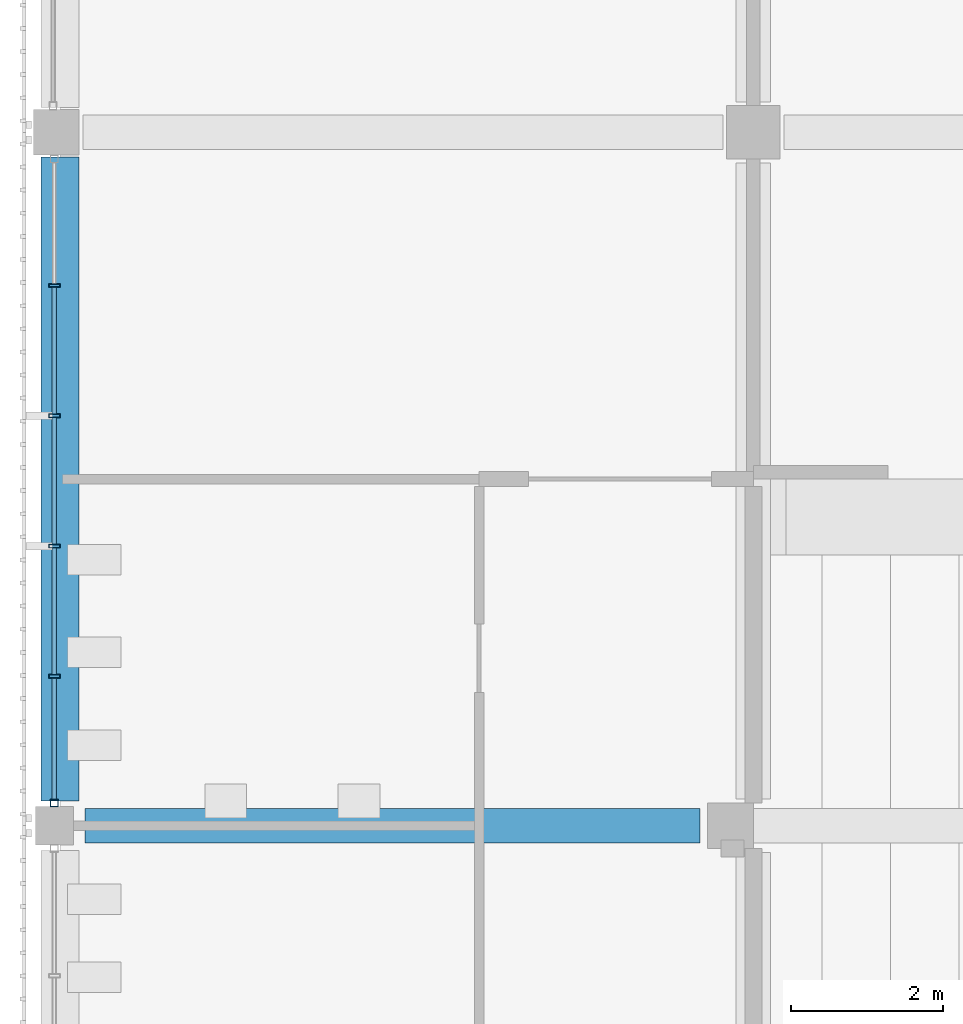
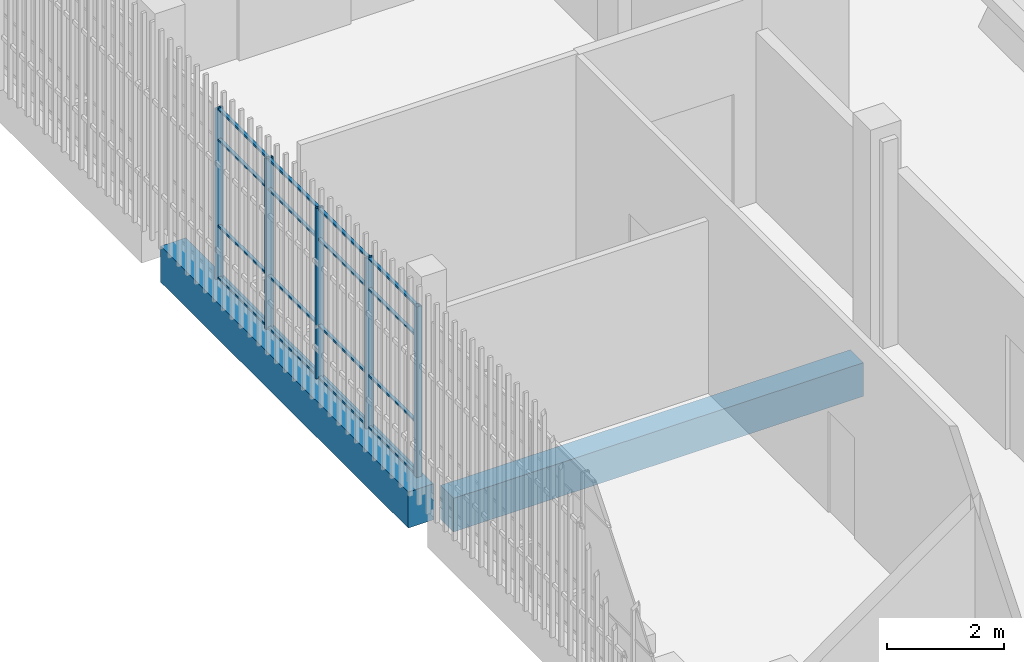
# One storey, part 31 of 139: 21 members, 2 beams, 1 element without a shape of its own.
"""IFC4 building model written with IfcOpenShell, lengths in metres."""

from ifc_helpers import new_model, si_unit, direction, frame, origin, origin_2d, place, context, subcontext, project, spatial, rectangle, hollow_rectangle, extrude, material, layer, layer_set, material_profile, profile_set, type_object, element, aggregate, save


model = new_model("IFC4")

# Units and contexts
model_context = context("Model", 3, precision=1e-05, world=origin(), true_north=direction((0.0, 1.0)))
body_context = subcontext(model_context, "Body", "Model", "MODEL_VIEW")
ifc_project = project(units=[si_unit("LENGTHUNIT", "METRE"), si_unit("AREAUNIT", "SQUARE_METRE"), si_unit("VOLUMEUNIT", "CUBIC_METRE"), si_unit("PLANEANGLEUNIT", "RADIAN"), si_unit("MASSUNIT", "GRAM", prefix="KILO")], contexts=[model_context])

# Site, building, storey
site_placement = place(None, origin())
site = spatial("IfcSite", under=ifc_project, at=site_placement, CompositionType="ELEMENT")
building_placement = place(site_placement, origin())
building = spatial("IfcBuilding", under=site, at=building_placement, Name="Shirokan Park Arena", CompositionType="ELEMENT")
storey_placement = place(building_placement, frame((0.0, 0.0, 15.469970703125)))
storey = spatial("IfcBuildingStorey", under=building, at=storey_placement, Name="L03", CompositionType="ELEMENT", Elevation=15.469970703125)

# Curtain wall, members
ifc_material_1 = material(Name="Steel and glass curtain wall", Category="steel")
ifc_layer = layer(ifc_material_1, 0.14990234375)
ifc_layer_set = layer_set([ifc_layer], Name="Steel and glass curtain wall 150 mm")
curtain_wall_type = type_object("IfcCurtainWallType", Name="Curtain wall exposed bay 150", PredefinedType="NOTDEFINED", material=ifc_layer_set)
curtain_wall_placement = place(storey_placement, origin())
curtain_wall = element("IfcCurtainWall", 1, at=curtain_wall_placement, inside=storey, type_object=curtain_wall_type, Name="Curtain wall west bay 5 L03", PredefinedType="NOTDEFINED")
ifc_material_2 = material(Name="Steel S355", Category="steel")
ifc_material_profile_1 = material_profile(ifc_material_2, hollow_rectangle(XDim=0.10009765625, YDim=0.10009765625, WallThickness=0.006103515625, at=origin_2d()), Name="RHS 100x100x6")
ifc_profile_set_1 = profile_set([ifc_material_profile_1], Name="Steel S355")
member_type_1 = type_object("IfcMemberType", Name="Mullion RHS 100x100x6", PredefinedType="MULLION", material=ifc_profile_set_1)
member_1_placement = place(storey_placement, frame((-0.074951171875, 64.0, 0.0), z_axis=(0.0, 0.0, 1.0), x_axis=(1.0, 0.0, 0.0)))
member_1 = element("IfcMember", 2, at=member_1_placement, type_object=member_type_1, Name="CW1 mullion 6", PredefinedType="MULLION", context=body_context, shape_type="SweptSolid", body=[
    extrude(hollow_rectangle(XDim=0.10009765625, YDim=0.10009765625, WallThickness=0.006103515625, at=origin_2d()), origin(), (0.0, 0.0, 1.0), 3.550048828125),
])
ifc_material_profile_2 = material_profile(ifc_material_2, hollow_rectangle(XDim=0.14990234375, YDim=0.050048828125, WallThickness=0.006103515625, at=origin_2d()), Name="RHS 150x50x6")
ifc_profile_set_2 = profile_set([ifc_material_profile_2], Name="Steel S355")
member_type_2 = type_object("IfcMemberType", Name="Mullion RHS 150x50x6", PredefinedType="MULLION", material=ifc_profile_set_2)
member_2_placement = place(storey_placement, frame((-0.074951171875, 70.7900390625, 0.0), z_axis=(0.0, 0.0, 1.0), x_axis=(1.0, 0.0, 0.0)))
member_2 = element("IfcMember", 3, at=member_2_placement, type_object=member_type_2, Name="CW1 mullion 2", PredefinedType="MULLION", context=body_context, shape_type="SweptSolid", body=[
    extrude(hollow_rectangle(XDim=0.14990234375, YDim=0.050048828125, WallThickness=0.006103515625, at=origin_2d()), origin(), (0.0, 0.0, 1.0), 3.550048828125),
])
member_3_placement = place(storey_placement, frame((-0.074951171875, 69.080078125, 0.0), z_axis=(0.0, 0.0, 1.0), x_axis=(1.0, 0.0, 0.0)))
member_3 = element("IfcMember", 4, at=member_3_placement, type_object=member_type_2, Name="CW1 mullion 3", PredefinedType="MULLION", context=body_context, shape_type="SweptSolid", body=[
    extrude(hollow_rectangle(XDim=0.14990234375, YDim=0.050048828125, WallThickness=0.006103515625, at=origin_2d()), origin(), (0.0, 0.0, 1.0), 3.550048828125),
])
member_4_placement = place(storey_placement, frame((-0.074951171875, 67.3701171875, 0.0), z_axis=(0.0, 0.0, 1.0), x_axis=(1.0, 0.0, 0.0)))
member_4 = element("IfcMember", 5, at=member_4_placement, type_object=member_type_2, Name="CW1 mullion 4", PredefinedType="MULLION", context=body_context, shape_type="SweptSolid", body=[
    extrude(hollow_rectangle(XDim=0.14990234375, YDim=0.050048828125, WallThickness=0.006103515625, at=origin_2d()), origin(), (0.0, 0.0, 1.0), 3.550048828125),
])
member_5_placement = place(storey_placement, frame((-0.074951171875, 65.659912109375, 0.0), z_axis=(0.0, 0.0, 1.0), x_axis=(1.0, 0.0, 0.0)))
member_5 = element("IfcMember", 6, at=member_5_placement, type_object=member_type_2, Name="CW1 mullion 5", PredefinedType="MULLION", context=body_context, shape_type="SweptSolid", body=[
    extrude(hollow_rectangle(XDim=0.14990234375, YDim=0.050048828125, WallThickness=0.006103515625, at=origin_2d()), origin(), (0.0, 0.0, 1.0), 3.550048828125),
])

# Beams
ifc_material_3 = material(Name="Concrete C35", Category="concrete")
ifc_material_profile_3 = material_profile(ifc_material_3, rectangle(XDim=0.449951171875, YDim=0.699951171875, at=origin_2d()), Name="450x700")
ifc_profile_set_3 = profile_set([ifc_material_profile_3], Name="Concrete C35")
beam_type_1 = type_object("IfcBeamType", Name="RC girder 450x700", PredefinedType="BEAM", material=ifc_profile_set_3)
beam_1_placement = place(storey_placement, frame((0.3251953125, 63.699951171875, -0.64990234375), z_axis=(1.0, 0.0, 0.0), x_axis=(0.0, 1.0, 0.0)))
element("IfcBeam", 7, at=beam_1_placement, inside=storey, type_object=beam_type_1, Name="Girder 1H-2H L03", PredefinedType="BEAM", context=body_context, shape_type="SweptSolid", body=[
    extrude(rectangle(XDim=0.449951171875, YDim=0.699951171875, at=origin_2d()), origin(), (0.0, 0.0, 1.0), 8.07470703125),
])
ifc_material_profile_4 = material_profile(ifc_material_3, rectangle(XDim=0.5, YDim=0.75, at=origin_2d()), Name="500x750")
ifc_profile_set_4 = profile_set([ifc_material_profile_4], Name="Concrete C35")
beam_type_2 = type_object("IfcBeamType", Name="RC girder 500x750", PredefinedType="BEAM", material=ifc_profile_set_4)
beam_2_placement = place(storey_placement, frame((0.0, 64.025146484375, -0.675048828125), z_axis=(0.0, 1.0, 0.0), x_axis=(-1.0, 0.0, 0.0)))
element("IfcBeam", 8, at=beam_2_placement, inside=storey, type_object=beam_type_2, Name="Girder 1H-1J L03", PredefinedType="BEAM", context=body_context, shape_type="SweptSolid", body=[
    extrude(rectangle(XDim=0.5, YDim=0.75, at=origin_2d()), origin(), (0.0, 0.0, 1.0), 8.44970703125),
])

# Member
ifc_material_profile_5 = material_profile(ifc_material_2, hollow_rectangle(XDim=0.06005859375, YDim=0.0400390625, WallThickness=0.00390625, at=origin_2d()), Name="RHS 60x40x4")
ifc_profile_set_5 = profile_set([ifc_material_profile_5], Name="Steel S355")
member_type_3 = type_object("IfcMemberType", Name="Transom RHS 60x40x4", PredefinedType="MULLION", material=ifc_profile_set_5)
member_6_placement = place(storey_placement, frame((-0.074951171875, 70.764892578125, 0.02001953125), z_axis=(0.0, -1.0, 0.0), x_axis=(1.0, 0.0, 0.0)))
member_6 = element("IfcMember", 9, at=member_6_placement, type_object=member_type_3, Name="CW1 transom 2.1", PredefinedType="MULLION", context=body_context, shape_type="SweptSolid", body=[
    extrude(hollow_rectangle(XDim=0.06005859375, YDim=0.0400390625, WallThickness=0.00390625, at=origin_2d()), origin(), (0.0, 0.0, 1.0), 1.659912109375),
])

member_7_placement = place(storey_placement, frame((-0.074951171875, 70.764892578125, 1.10009765625), z_axis=(0.0, -1.0, 0.0), x_axis=(1.0, 0.0, 0.0)))
member_7 = element("IfcMember", 10, at=member_7_placement, type_object=member_type_3, Name="CW1 transom 2.2", PredefinedType="MULLION", context=body_context, shape_type="SweptSolid", body=[
    extrude(hollow_rectangle(XDim=0.06005859375, YDim=0.0400390625, WallThickness=0.00390625, at=origin_2d()), origin(), (0.0, 0.0, 1.0), 1.659912109375),
])

member_8_placement = place(storey_placement, frame((-0.074951171875, 70.764892578125, 2.900146484375), z_axis=(0.0, -1.0, 0.0), x_axis=(1.0, 0.0, 0.0)))
member_8 = element("IfcMember", 11, at=member_8_placement, type_object=member_type_3, Name="CW1 transom 2.3", PredefinedType="MULLION", context=body_context, shape_type="SweptSolid", body=[
    extrude(hollow_rectangle(XDim=0.06005859375, YDim=0.0400390625, WallThickness=0.00390625, at=origin_2d()), origin(), (0.0, 0.0, 1.0), 1.659912109375),
])

member_9_placement = place(storey_placement, frame((-0.074951171875, 70.764892578125, 3.530029296875), z_axis=(0.0, -1.0, 0.0), x_axis=(1.0, 0.0, 0.0)))
member_9 = element("IfcMember", 12, at=member_9_placement, type_object=member_type_3, Name="CW1 transom 2.4", PredefinedType="MULLION", context=body_context, shape_type="SweptSolid", body=[
    extrude(hollow_rectangle(XDim=0.06005859375, YDim=0.0400390625, WallThickness=0.00390625, at=origin_2d()), origin(), (0.0, 0.0, 1.0), 1.659912109375),
])

member_10_placement = place(storey_placement, frame((-0.074951171875, 69.054931640625, 0.02001953125), z_axis=(0.0, -1.0, 0.0), x_axis=(1.0, 0.0, 0.0)))
member_10 = element("IfcMember", 13, at=member_10_placement, type_object=member_type_3, Name="CW1 transom 3.1", PredefinedType="MULLION", context=body_context, shape_type="SweptSolid", body=[
    extrude(hollow_rectangle(XDim=0.06005859375, YDim=0.0400390625, WallThickness=0.00390625, at=origin_2d()), origin(), (0.0, 0.0, 1.0), 1.659912109375),
])

member_11_placement = place(storey_placement, frame((-0.074951171875, 69.054931640625, 1.10009765625), z_axis=(0.0, -1.0, 0.0), x_axis=(1.0, 0.0, 0.0)))
member_11 = element("IfcMember", 14, at=member_11_placement, type_object=member_type_3, Name="CW1 transom 3.2", PredefinedType="MULLION", context=body_context, shape_type="SweptSolid", body=[
    extrude(hollow_rectangle(XDim=0.06005859375, YDim=0.0400390625, WallThickness=0.00390625, at=origin_2d()), origin(), (0.0, 0.0, 1.0), 1.659912109375),
])

member_12_placement = place(storey_placement, frame((-0.074951171875, 69.054931640625, 2.900146484375), z_axis=(0.0, -1.0, 0.0), x_axis=(1.0, 0.0, 0.0)))
member_12 = element("IfcMember", 15, at=member_12_placement, type_object=member_type_3, Name="CW1 transom 3.3", PredefinedType="MULLION", context=body_context, shape_type="SweptSolid", body=[
    extrude(hollow_rectangle(XDim=0.06005859375, YDim=0.0400390625, WallThickness=0.00390625, at=origin_2d()), origin(), (0.0, 0.0, 1.0), 1.659912109375),
])

member_13_placement = place(storey_placement, frame((-0.074951171875, 69.054931640625, 3.530029296875), z_axis=(0.0, -1.0, 0.0), x_axis=(1.0, 0.0, 0.0)))
member_13 = element("IfcMember", 16, at=member_13_placement, type_object=member_type_3, Name="CW1 transom 3.4", PredefinedType="MULLION", context=body_context, shape_type="SweptSolid", body=[
    extrude(hollow_rectangle(XDim=0.06005859375, YDim=0.0400390625, WallThickness=0.00390625, at=origin_2d()), origin(), (0.0, 0.0, 1.0), 1.659912109375),
])

member_14_placement = place(storey_placement, frame((-0.074951171875, 67.344970703125, 0.02001953125), z_axis=(0.0, -1.0, 0.0), x_axis=(1.0, 0.0, 0.0)))
member_14 = element("IfcMember", 17, at=member_14_placement, type_object=member_type_3, Name="CW1 transom 4.1", PredefinedType="MULLION", context=body_context, shape_type="SweptSolid", body=[
    extrude(hollow_rectangle(XDim=0.06005859375, YDim=0.0400390625, WallThickness=0.00390625, at=origin_2d()), origin(), (0.0, 0.0, 1.0), 1.659912109375),
])

member_15_placement = place(storey_placement, frame((-0.074951171875, 67.344970703125, 1.10009765625), z_axis=(0.0, -1.0, 0.0), x_axis=(1.0, 0.0, 0.0)))
member_15 = element("IfcMember", 18, at=member_15_placement, type_object=member_type_3, Name="CW1 transom 4.2", PredefinedType="MULLION", context=body_context, shape_type="SweptSolid", body=[
    extrude(hollow_rectangle(XDim=0.06005859375, YDim=0.0400390625, WallThickness=0.00390625, at=origin_2d()), origin(), (0.0, 0.0, 1.0), 1.659912109375),
])

member_16_placement = place(storey_placement, frame((-0.074951171875, 67.344970703125, 2.900146484375), z_axis=(0.0, -1.0, 0.0), x_axis=(1.0, 0.0, 0.0)))
member_16 = element("IfcMember", 19, at=member_16_placement, type_object=member_type_3, Name="CW1 transom 4.3", PredefinedType="MULLION", context=body_context, shape_type="SweptSolid", body=[
    extrude(hollow_rectangle(XDim=0.06005859375, YDim=0.0400390625, WallThickness=0.00390625, at=origin_2d()), origin(), (0.0, 0.0, 1.0), 1.659912109375),
])

member_17_placement = place(storey_placement, frame((-0.074951171875, 67.344970703125, 3.530029296875), z_axis=(0.0, -1.0, 0.0), x_axis=(1.0, 0.0, 0.0)))
member_17 = element("IfcMember", 20, at=member_17_placement, type_object=member_type_3, Name="CW1 transom 4.4", PredefinedType="MULLION", context=body_context, shape_type="SweptSolid", body=[
    extrude(hollow_rectangle(XDim=0.06005859375, YDim=0.0400390625, WallThickness=0.00390625, at=origin_2d()), origin(), (0.0, 0.0, 1.0), 1.659912109375),
])

member_18_placement = place(storey_placement, frame((-0.074951171875, 65.635009765625, 0.02001953125), z_axis=(0.0, -1.0, 0.0), x_axis=(1.0, 0.0, 0.0)))
member_18 = element("IfcMember", 21, at=member_18_placement, type_object=member_type_3, Name="CW1 transom 5.1", PredefinedType="MULLION", context=body_context, shape_type="SweptSolid", body=[
    extrude(hollow_rectangle(XDim=0.06005859375, YDim=0.0400390625, WallThickness=0.00390625, at=origin_2d()), origin(), (0.0, 0.0, 1.0), 1.5849609375),
])

member_19_placement = place(storey_placement, frame((-0.074951171875, 65.635009765625, 1.10009765625), z_axis=(0.0, -1.0, 0.0), x_axis=(1.0, 0.0, 0.0)))
member_19 = element("IfcMember", 22, at=member_19_placement, type_object=member_type_3, Name="CW1 transom 5.2", PredefinedType="MULLION", context=body_context, shape_type="SweptSolid", body=[
    extrude(hollow_rectangle(XDim=0.06005859375, YDim=0.0400390625, WallThickness=0.00390625, at=origin_2d()), origin(), (0.0, 0.0, 1.0), 1.5849609375),
])

member_20_placement = place(storey_placement, frame((-0.074951171875, 65.635009765625, 2.900146484375), z_axis=(0.0, -1.0, 0.0), x_axis=(1.0, 0.0, 0.0)))
member_20 = element("IfcMember", 23, at=member_20_placement, type_object=member_type_3, Name="CW1 transom 5.3", PredefinedType="MULLION", context=body_context, shape_type="SweptSolid", body=[
    extrude(hollow_rectangle(XDim=0.06005859375, YDim=0.0400390625, WallThickness=0.00390625, at=origin_2d()), origin(), (0.0, 0.0, 1.0), 1.5849609375),
])

member_21_placement = place(storey_placement, frame((-0.074951171875, 65.635009765625, 3.530029296875), z_axis=(0.0, -1.0, 0.0), x_axis=(1.0, 0.0, 0.0)))
member_21 = element("IfcMember", 24, at=member_21_placement, type_object=member_type_3, Name="CW1 transom 5.4", PredefinedType="MULLION", context=body_context, shape_type="SweptSolid", body=[
    extrude(hollow_rectangle(XDim=0.06005859375, YDim=0.0400390625, WallThickness=0.00390625, at=origin_2d()), origin(), (0.0, 0.0, 1.0), 1.5849609375),
])

aggregate(curtain_wall, [member_2, member_3, member_4, member_5, member_1, member_6, member_7, member_8, member_9, member_10, member_11, member_12, member_13, member_14, member_15, member_16, member_17, member_18, member_19, member_20, member_21])

save(model, "model.ifc")
